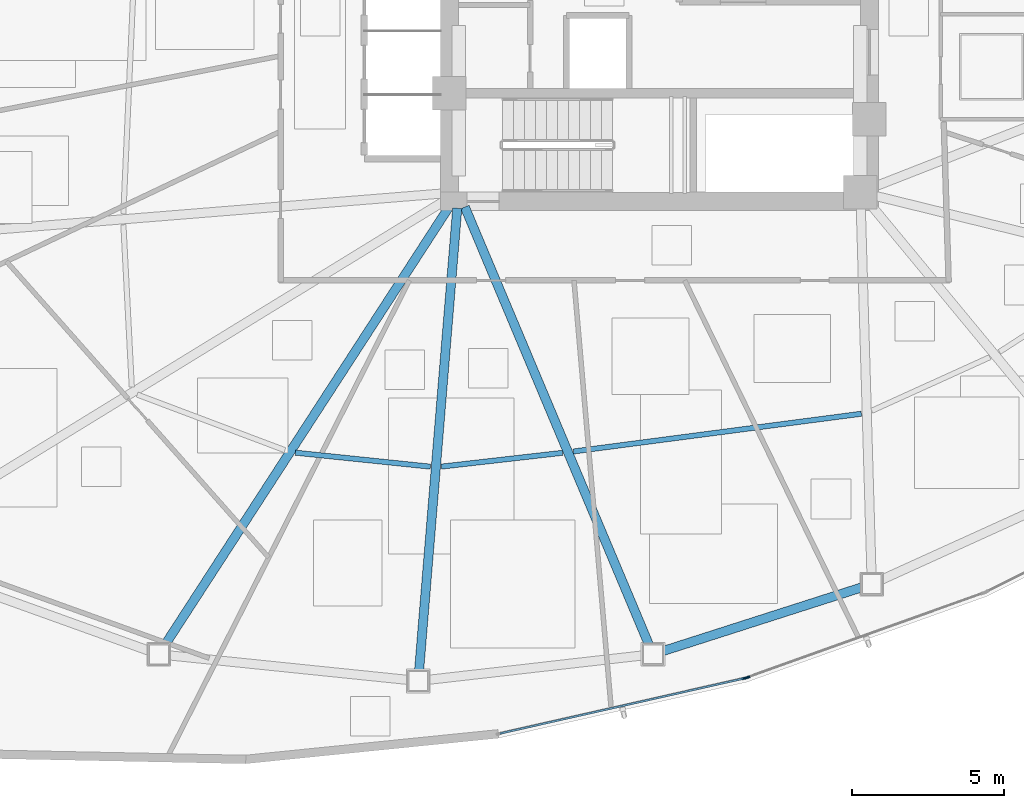
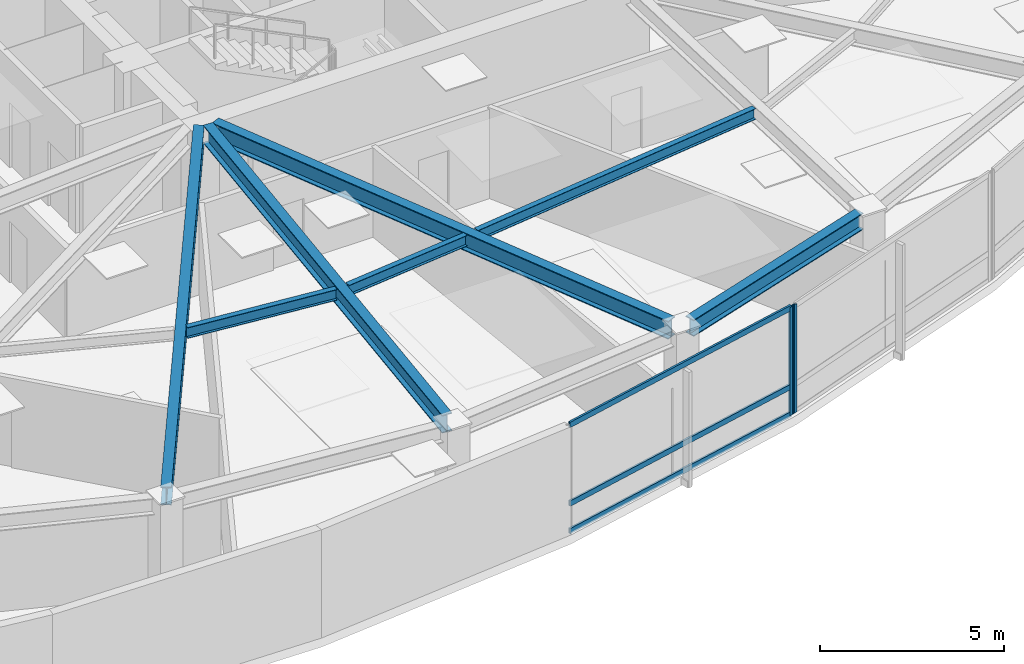
# One storey, part 3 of 17: 7 beams, 5 members, 2 elements without a shape of their own.
"""IFC4 building model written with IfcOpenShell, lengths in metres."""

from ifc_helpers import new_model, si_unit, direction, frame, origin, origin_2d, place, context, subcontext, project, spatial, hollow_rectangle, i_section, extrude, source, transform, mapped, material, layer, layer_set, material_profile, profile_set, type_object, type_shapes, element, aggregate, save


model = new_model("IFC4")

# Units and contexts
model_context = context("Model", 3, precision=1e-05, world=origin(), true_north=direction((0.0, 1.0)))
body_context = subcontext(model_context, "Body", "Model", "MODEL_VIEW")
ifc_project = project(units=[si_unit("LENGTHUNIT", "METRE"), si_unit("AREAUNIT", "SQUARE_METRE"), si_unit("VOLUMEUNIT", "CUBIC_METRE"), si_unit("PLANEANGLEUNIT", "RADIAN"), si_unit("MASSUNIT", "GRAM", prefix="KILO")], contexts=[model_context])

# Site, building, storey
site_placement = place(None, origin())
site = spatial("IfcSite", under=ifc_project, at=site_placement, CompositionType="ELEMENT")
building_placement = place(site_placement, origin())
building = spatial("IfcBuilding", under=site, at=building_placement, Name="Tavelor Broadcast Tower", CompositionType="ELEMENT")
storey_placement = place(building_placement, frame((0.0, 0.0, 93.89990234375)))
storey = spatial("IfcBuildingStorey", under=building, at=storey_placement, Name="L22", CompositionType="ELEMENT", Elevation=93.89990234375)

# Beams
ifc_material_1 = material(Name="Steel S355", Category="steel")
ifc_material_profile_1 = material_profile(ifc_material_1, i_section(OverallWidth=0.169921875, OverallDepth=0.360107421875, WebThickness=0.008056640625, FlangeThickness=0.0126953125, at=origin_2d()), Name="IPE 360")
ifc_profile_set_1 = profile_set([ifc_material_profile_1], Name="Steel S355")
beam_type_1 = type_object("IfcBeamType", Name="Composite Floor Joist T2 IPE 360", PredefinedType="JOIST", material=ifc_profile_set_1)
beam_1_placement = place(storey_placement, frame((38.04052734375, 30.240966796875, 3.420166015625), z_axis=(0.99467108558, -0.103099134387, 0.0), x_axis=(0.103099134387, 0.99467108558, 0.0)))
element("IfcBeam", 1, at=beam_1_placement, inside=storey, type_object=beam_type_1, Name="L22 Secondary Composite Floor Joist 08", PredefinedType="JOIST", context=body_context, shape_type="SweptSolid", body=[
    extrude(i_section(OverallWidth=0.169921875, OverallDepth=0.360107421875, WebThickness=0.008056640625, FlangeThickness=0.0126953125, at=origin_2d()), origin(), (0.0, 0.0, 1.0), 4.45654296875),
])
beam_2_placement = place(storey_placement, frame((42.833251953125, 29.783203125, 3.420166015625), z_axis=(0.993569155888, 0.113226906995, 0.0), x_axis=(-0.113226906995, 0.993569155888, 0.0)))
element("IfcBeam", 2, at=beam_2_placement, inside=storey, type_object=beam_type_1, Name="L22 Secondary Composite Floor Joist 09", PredefinedType="JOIST", context=body_context, shape_type="SweptSolid", body=[
    extrude(i_section(OverallWidth=0.169921875, OverallDepth=0.360107421875, WebThickness=0.008056640625, FlangeThickness=0.0126953125, at=origin_2d()), origin(), (0.0, 0.0, 1.0), 4.00634765625),
])
beam_3_placement = place(storey_placement, frame((47.173095703125, 30.281005859375, 3.420166015625), z_axis=(0.991523318151, 0.129928863469, 0.0), x_axis=(-0.129928863469, 0.991523318151, 0.0)))
element("IfcBeam", 3, at=beam_3_placement, inside=storey, type_object=beam_type_1, Name="L22 Secondary Composite Floor Joist 10", PredefinedType="JOIST", context=body_context, shape_type="SweptSolid", body=[
    extrude(i_section(OverallWidth=0.169921875, OverallDepth=0.360107421875, WebThickness=0.008056640625, FlangeThickness=0.0126953125, at=origin_2d()), origin(), (0.0, 0.0, 1.0), 9.539794921875),
])
ifc_material_profile_2 = material_profile(ifc_material_1, i_section(OverallWidth=0.300048828125, OverallDepth=0.550048828125, WebThickness=0.014892578125, FlangeThickness=0.029052734375, at=origin_2d()), Name="HEB 550")
ifc_profile_set_2 = profile_set([ifc_material_profile_2], Name="Steel S355")
beam_type_2 = type_object("IfcBeamType", Name="Perimeter Spandrel Beam T2 HEB 550", PredefinedType="SPANDREL", material=ifc_profile_set_2)
beam_4_placement = place(storey_placement, frame((50.106689453125, 23.720458984375, 3.3251953125), z_axis=(0.952297103541, 0.305172453849, 0.0), x_axis=(-0.305172453849, 0.952297103541, 0.0)))
element("IfcBeam", 4, at=beam_4_placement, inside=storey, type_object=beam_type_2, Name="L22 Framed-Tube Ring Spandrel 10", PredefinedType="SPANDREL", context=body_context, shape_type="SweptSolid", body=[
    extrude(i_section(OverallWidth=0.300048828125, OverallDepth=0.550048828125, WebThickness=0.014892578125, FlangeThickness=0.029052734375, at=origin_2d()), origin(), (0.0, 0.0, 1.0), 6.876953125),
])
ifc_material_profile_3 = material_profile(ifc_material_1, i_section(OverallWidth=0.300048828125, OverallDepth=0.60009765625, WebThickness=0.015380859375, FlangeThickness=0.030029296875, at=origin_2d()), Name="HEB 600")
ifc_profile_set_3 = profile_set([ifc_material_profile_3], Name="Steel S355")
beam_type_3 = type_object("IfcBeamType", Name="Radial Floor Girder T2 HEB 600", PredefinedType="BEAM", material=ifc_profile_set_3)
beam_5_placement = place(storey_placement, frame((43.11279296875, 38.35693359375, 3.300048828125), z_axis=(-0.544192452451, -0.838960413068, 0.0), x_axis=(0.838960413068, -0.544192452451, 0.0)))
element("IfcBeam", 5, at=beam_5_placement, inside=storey, type_object=beam_type_3, Name="L22 Radial Primary Floor Girder 08", PredefinedType="BEAM", context=body_context, shape_type="SweptSolid", body=[
    extrude(i_section(OverallWidth=0.300048828125, OverallDepth=0.60009765625, WebThickness=0.015380859375, FlangeThickness=0.030029296875, at=origin_2d()), origin(), (0.0, 0.0, 1.0), 17.235107421875),
])
beam_6_placement = place(storey_placement, frame((43.3564453125, 38.273681640625, 3.300048828125), z_axis=(-0.082335312762, -0.996604684051, 0.0), x_axis=(0.996604684051, -0.082335312762, 0.0)))
element("IfcBeam", 6, at=beam_6_placement, inside=storey, type_object=beam_type_3, Name="L22 Radial Primary Floor Girder 09", PredefinedType="BEAM", context=body_context, shape_type="SweptSolid", body=[
    extrude(i_section(OverallWidth=0.300048828125, OverallDepth=0.60009765625, WebThickness=0.015380859375, FlangeThickness=0.030029296875, at=origin_2d()), origin(), (0.0, 0.0, 1.0), 15.25),
])
beam_7_placement = place(storey_placement, frame((43.604736328125, 38.313232421875, 3.300048828125), z_axis=(0.387755556571, -0.921762240683, 0.0), x_axis=(0.921762240683, 0.387755556571, 0.0)))
element("IfcBeam", 7, at=beam_7_placement, inside=storey, type_object=beam_type_3, Name="L22 Radial Primary Floor Girder 10", PredefinedType="BEAM", context=body_context, shape_type="SweptSolid", body=[
    extrude(i_section(OverallWidth=0.300048828125, OverallDepth=0.60009765625, WebThickness=0.015380859375, FlangeThickness=0.030029296875, at=origin_2d()), origin(), (0.0, 0.0, 1.0), 15.6064453125),
])

# Curtain wall, member
ifc_material_2 = material(Name="Architectural Anodized Aluminium", Category="aluminium")
ifc_layer = layer(ifc_material_2, 0.179931640625)
ifc_layer_set = layer_set([ifc_layer], Name="Architectural Anodized Aluminium")
curtain_wall_type = type_object("IfcCurtainWallType", Name="Tower Low-Zone Unitised Curtain Wall CW02", PredefinedType="NOTDEFINED", material=ifc_layer_set)
curtain_wall_1_placement = place(storey_placement, origin())
curtain_wall_1 = element("IfcCurtainWall", 8, at=curtain_wall_1_placement, inside=storey, type_object=curtain_wall_type, Name="L22 Curtain Wall CW02 Run 221", PredefinedType="NOTDEFINED")
ifc_material_profile_4 = material_profile(ifc_material_2, hollow_rectangle(XDim=0.06494140625, YDim=0.179931640625, WallThickness=0.02197265625, at=origin_2d()), Name="RHS 65x180x22")
ifc_profile_set_4 = profile_set([ifc_material_profile_4], Name="Architectural Anodized Aluminium")
member_type_1 = type_object("IfcMemberType", Name="CW02 Extruded Aluminium Mullion 65x180", PredefinedType="MULLION", material=ifc_profile_set_4)
shared_shape_1 = source(origin(), body_context, "Body", "SweptSolid", [
    extrude(hollow_rectangle(XDim=0.06494140625, YDim=0.179931640625, WallThickness=0.02197265625, at=origin_2d()), origin(), (0.0, 0.0, 1.0), 3.60009765625),
])
type_shapes(member_type_1, [shared_shape_1])
member_1_placement = place(storey_placement, frame((52.7919921875, 22.828369140625, 0.0), z_axis=(0.0, 0.0, 1.0), x_axis=(-0.220275238324, 0.97543775782, 0.0)))
member_1 = element("IfcMember", 9, at=member_1_placement, type_object=member_type_1, Name="CW02 mullion 2", PredefinedType="MULLION", context=body_context, shape_type="MappedRepresentation", body=[
    mapped(shared_shape_1, transform((0.0, 0.0, 0.0), scale=1.0)),
])

curtain_wall_2_placement = place(storey_placement, origin())
curtain_wall_2 = element("IfcCurtainWall", 10, at=curtain_wall_2_placement, inside=storey, type_object=curtain_wall_type, Name="L22 Curtain Wall CW02 Run 222", PredefinedType="NOTDEFINED")
member_2_placement = place(storey_placement, frame((52.883056640625, 22.854736328125, 0.0), z_axis=(0.0, 0.0, 1.0), x_axis=(-0.336695882508, 0.941613446539, 0.0)))
member_2 = element("IfcMember", 11, at=member_2_placement, type_object=member_type_1, Name="CW02 mullion 1", PredefinedType="MULLION", context=body_context, shape_type="MappedRepresentation", body=[
    mapped(shared_shape_1, transform((0.0, 0.0, 0.0), scale=1.0)),
])
aggregate(curtain_wall_2, [member_2])

# Member
ifc_material_profile_5 = material_profile(ifc_material_2, hollow_rectangle(XDim=0.06494140625, YDim=0.179931640625, WallThickness=0.02197265625, at=origin_2d()), Name="RHS 65x180x22")
ifc_profile_set_5 = profile_set([ifc_material_profile_5], Name="Architectural Anodized Aluminium")
member_type_2 = type_object("IfcMemberType", Name="CW02 Extruded Aluminium Transom 65x180", PredefinedType="USERDEFINED", material=ifc_profile_set_5)
shared_shape_2 = source(origin(), body_context, "Body", "SweptSolid", [
    extrude(hollow_rectangle(XDim=0.06494140625, YDim=0.179931640625, WallThickness=0.02197265625, at=origin_2d()), origin(), (0.0, 0.0, 1.0), 8.20166015625),
])
type_shapes(member_type_2, [shared_shape_2])
member_3_placement = place(storey_placement, frame((44.760009765625, 21.014404296875, 0.03271484375), z_axis=(0.975431098435, 0.220304725793, 0.0), x_axis=(-0.220304725793, 0.975431098435, 0.0)))
member_3 = element("IfcMember", 12, at=member_3_placement, type_object=member_type_2, Name="CW02 transom 1.1", ObjectType="TRANSOM", PredefinedType="USERDEFINED", context=body_context, shape_type="MappedRepresentation", body=[
    mapped(shared_shape_2, transform((0.0, 0.0, 0.0), scale=1.0)),
])

member_4_placement = place(storey_placement, frame((44.760009765625, 21.014404296875, 0.9501953125), z_axis=(0.975431098435, 0.220304725793, 0.0), x_axis=(-0.220304725793, 0.975431098435, 0.0)))
member_4 = element("IfcMember", 13, at=member_4_placement, type_object=member_type_2, Name="CW02 transom 1.2", ObjectType="TRANSOM", PredefinedType="USERDEFINED", context=body_context, shape_type="MappedRepresentation", body=[
    mapped(shared_shape_2, transform((0.0, 0.0, 0.0), scale=1.0)),
])

member_5_placement = place(storey_placement, frame((44.760009765625, 21.014404296875, 3.567626953125), z_axis=(0.975431098435, 0.220304725793, 0.0), x_axis=(-0.220304725793, 0.975431098435, 0.0)))
member_5 = element("IfcMember", 14, at=member_5_placement, type_object=member_type_2, Name="CW02 transom 1.3", ObjectType="TRANSOM", PredefinedType="USERDEFINED", context=body_context, shape_type="MappedRepresentation", body=[
    mapped(shared_shape_2, transform((0.0, 0.0, 0.0), scale=1.0)),
])

aggregate(curtain_wall_1, [member_1, member_3, member_4, member_5])

save(model, "model.ifc")
